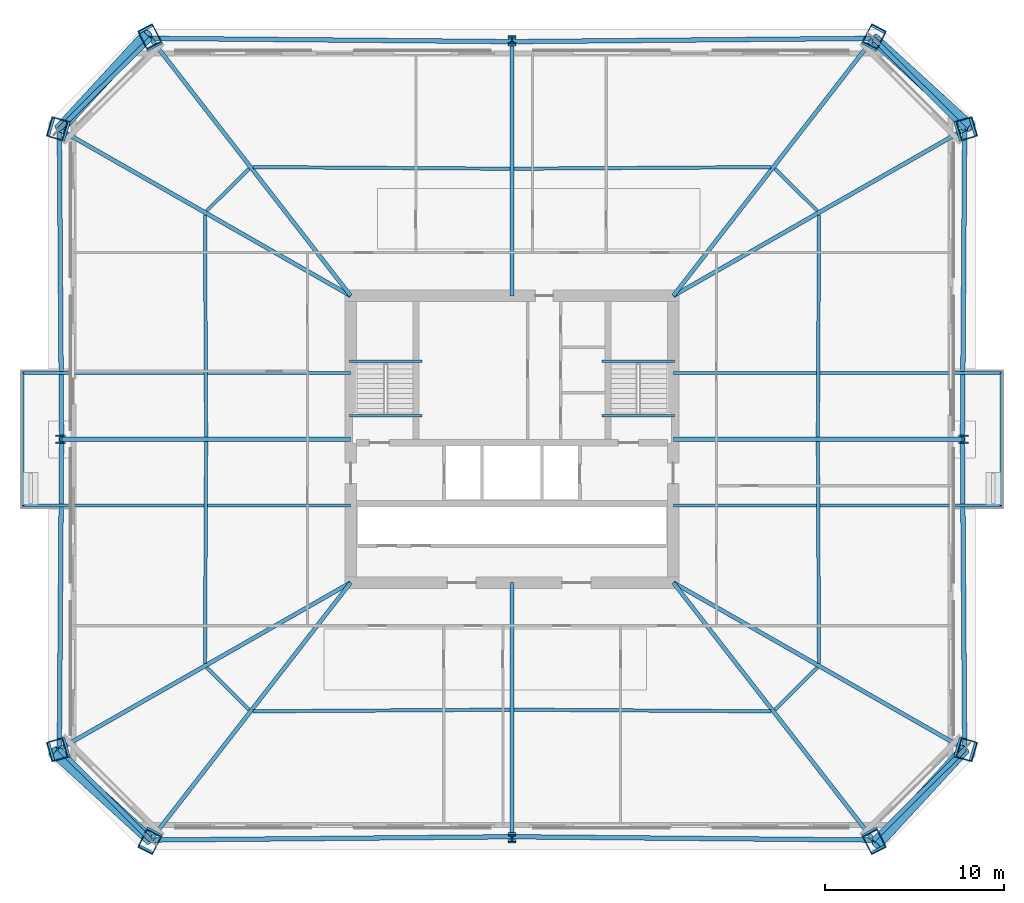
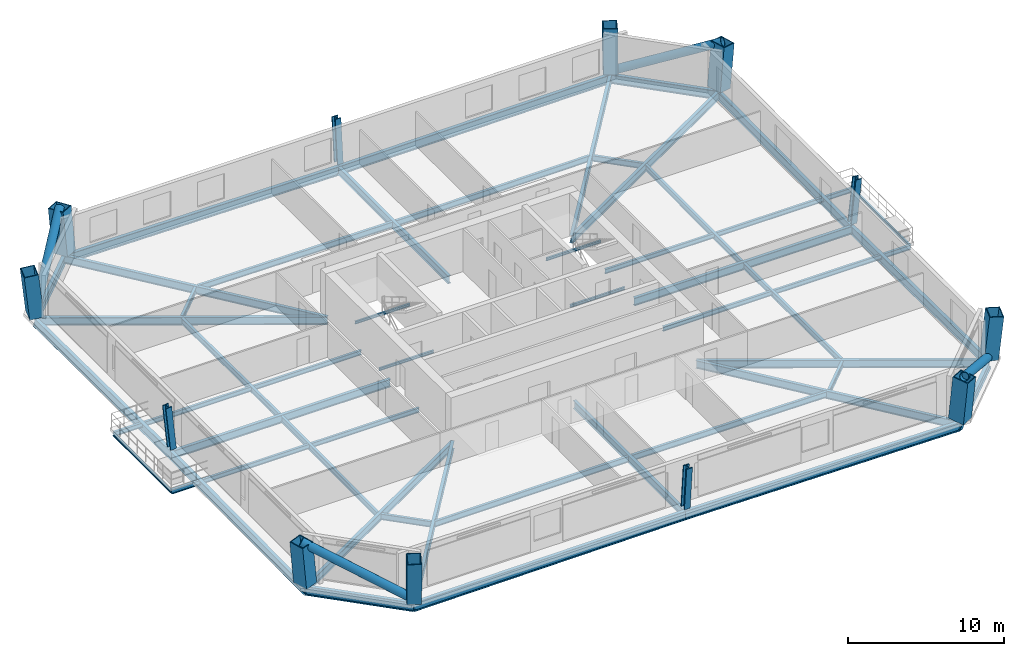
# One storey, part 1 of 11: 46 beams, 12 columns, 4 members.
"""IFC4 building model written with IfcOpenShell, lengths in metres."""

import ifcopenshell
import ifcopenshell.guid

model = None  # the IFC model being written
_history = None  # IfcOwnerHistory: only IFC2X3 demands one
_inside = {}  # id of a spatial element -> (the spatial element, [elements in it])
_under = {}  # id of a project, library or spatial element -> (it, [spatial elements below it])
_declared = {}  # id of a project -> (the project, [libraries it declares])
_typed = {}  # id of a type object -> (the type object, [elements of that type])
_made_of = {}  # id of a material, layer set ... -> (it, [elements and type objects made of it])


def new_model(schema):
    """Start an empty IFC model of exactly this schema.

    Asked for "IFC4X3", IfcOpenShell would pick the latest addendum, in which some entities
    have other attributes; the version numbers below select the first issue.
    IFC2X3 requires an IfcOwnerHistory on every rooted entity: one is made here for all.
    """
    global model, _history
    if schema == "IFC4X3":
        model = ifcopenshell.file(schema_version=(4, 3, 0, 0))
    else:
        model = ifcopenshell.file(schema=schema)
    _inside.clear()
    _under.clear()
    _declared.clear()
    _typed.clear()
    _made_of.clear()
    _history = None
    if model.schema == "IFC2X3":
        org = make("IfcOrganization", Name="unknown")
        user = make(
            "IfcPersonAndOrganization",
            ThePerson=make("IfcPerson", FamilyName="unknown"),
            TheOrganization=org,
        )
        app = make(
            "IfcApplication",
            ApplicationDeveloper=org,
            Version="unknown",
            ApplicationFullName="unknown",
            ApplicationIdentifier="unknown",
        )
        _history = make(
            "IfcOwnerHistory",
            OwningUser=user,
            OwningApplication=app,
            ChangeAction="ADDED",
            CreationDate=0,
        )
    return model


def make(cls, **values):
    """One entity of the class cls with the attributes given. An attribute that is None is left unset."""
    return model.create_entity(
        cls, **{name: value for name, value in values.items() if value is not None}
    )


def rooted(cls, **values):
    """An entity with a GlobalId (a new one), such as an element, a storey or a relation."""
    return make(cls, GlobalId=ifcopenshell.guid.new(), OwnerHistory=_history, **values)


def si_unit(unit_type, name, prefix=None):
    """IfcSIUnit, for example si_unit("LENGTHUNIT", "METRE", prefix="MILLI")."""
    return make("IfcSIUnit", UnitType=unit_type, Prefix=prefix, Name=name)


def assignment(units):
    """IfcUnitAssignment: the units of a project."""
    return None if units is None else make("IfcUnitAssignment", Units=units)


def point(xyz):
    """IfcCartesianPoint."""
    return None if xyz is None else make("IfcCartesianPoint", Coordinates=xyz)


def direction(xyz):
    """IfcDirection."""
    return None if xyz is None else make("IfcDirection", DirectionRatios=xyz)


def frame(location, z_axis=None, x_axis=None):
    """IfcAxis2Placement3D, a coordinate frame: its origin and axes. An axis left out is left unset."""
    return make(
        "IfcAxis2Placement3D",
        Location=point(location),
        Axis=direction(z_axis),
        RefDirection=direction(x_axis),
    )


def frame_2d(location, x_axis=None):
    """IfcAxis2Placement2D, a coordinate frame in the plane: its origin and x axis."""
    return make(
        "IfcAxis2Placement2D", Location=point(location), RefDirection=direction(x_axis)
    )


def origin():
    """The frame at (0, 0, 0) with its axes left unset."""
    return frame((0.0, 0.0, 0.0))


def origin_2d():
    """The frame at (0, 0) in the plane with its x axis left unset."""
    return frame_2d((0.0, 0.0))


def place(relative_to, where):
    """IfcLocalPlacement: puts the frame where relative to a parent placement (None: the world)."""
    return make(
        "IfcLocalPlacement", PlacementRelTo=relative_to, RelativePlacement=where
    )


def context(
    kind, dimensions, precision=None, world=None, true_north=None, identifier=None
):
    """IfcGeometricRepresentationContext, for example the 3D "Model" context."""
    return make(
        "IfcGeometricRepresentationContext",
        ContextIdentifier=identifier,
        ContextType=kind,
        CoordinateSpaceDimension=dimensions,
        Precision=precision,
        WorldCoordinateSystem=world,
        TrueNorth=true_north,
    )


def subcontext(parent, identifier, kind, view, scale=None):
    """IfcGeometricRepresentationSubContext, for example "Body" below "Model"."""
    return make(
        "IfcGeometricRepresentationSubContext",
        ContextIdentifier=identifier,
        ContextType=kind,
        ParentContext=parent,
        TargetScale=scale,
        TargetView=view,
    )


def project(units=None, contexts=None):
    """IfcProject with its units and contexts."""
    return rooted(
        "IfcProject",
        Name="project",
        RepresentationContexts=contexts,
        UnitsInContext=assignment(units),
    )


def spatial(cls, under=None, at=None, **own):
    """A site, building, storey or space (cls), placed at a placement, below another one or the project."""
    s = rooted(cls, ObjectPlacement=at, **own)
    if under is not None:
        _under.setdefault(under.id(), (under, []))[1].append(s)
    return s


def profile(cls, at=None, kind="AREA", **sizes):
    """A parametric profile (cls). Its sizes go by their IFC names, for example OverallWidth=200.0."""
    return make(cls, ProfileType=kind, Position=at, **sizes)


def hollow_rectangle(**sizes):
    """IfcRectangleHollowProfileDef."""
    return profile("IfcRectangleHollowProfileDef", **sizes)


def hollow_circle(**sizes):
    """IfcCircleHollowProfileDef."""
    return profile("IfcCircleHollowProfileDef", **sizes)


def i_section(**sizes):
    """IfcIShapeProfileDef."""
    return profile("IfcIShapeProfileDef", **sizes)


def extrude(swept, where, along, depth):
    """IfcExtrudedAreaSolid: the profile swept, set in the frame where, extruded along a direction by depth."""
    return make(
        "IfcExtrudedAreaSolid",
        SweptArea=swept,
        Position=where,
        ExtrudedDirection=direction(along),
        Depth=depth,
    )


def shape(context_of_items, identifier, shape_type, items):
    """IfcShapeRepresentation: the items that make up one representation, for example the "Body"."""
    return make(
        "IfcShapeRepresentation",
        ContextOfItems=context_of_items,
        RepresentationIdentifier=identifier,
        RepresentationType=shape_type,
        Items=items,
    )


def material(Name=None, Category=None):
    """IfcMaterial."""
    return make("IfcMaterial", Name=Name, Category=Category)


def material_profile(
    of_material, cross_section, Name=None, Category=None, Priority=None
):
    """IfcMaterialProfile: a cross section and its material."""
    return make(
        "IfcMaterialProfile",
        Name=Name,
        Material=of_material,
        Profile=cross_section,
        Priority=Priority,
        Category=Category,
    )


def profile_set(profiles, Name=None, composite=None):
    """IfcMaterialProfileSet."""
    return make(
        "IfcMaterialProfileSet",
        Name=Name,
        MaterialProfiles=profiles,
        CompositeProfile=composite,
    )


def made_of(thing, what):
    """Note that an element or type object is made of a material, layer set ...; save() writes the relation."""
    if what is not None:
        _made_of.setdefault(what.id(), (what, []))[1].append(thing)
    return thing


def type_object(cls, material=None, **own):
    """A type object (cls), such as IfcWallType, which elements share."""
    return made_of(rooted(cls, **own), material)


def element(
    cls,
    number,
    at=None,
    inside=None,
    cuts=None,
    type_object=None,
    material=None,
    context=None,
    identifier="Body",
    shape_type=None,
    held_by="IfcProductDefinitionShape",
    body=None,
    shapes=None,
    **own,
):
    """One element of the class cls, such as IfcWall. Its Tag is "e" and its number.

    at: its placement. inside: the storey or other place that contains it. cuts: it is an
    opening in that element (IfcRelVoidsElement). A single representation is given by context,
    identifier, shape_type and body (its items); several are given by shapes. held_by: the class
    of the entity that holds the representations. save() writes the other relations.
    """
    e = rooted(cls, Tag="e%d" % number, ObjectPlacement=at, **own)
    if body is not None:
        shapes = [shape(context, identifier, shape_type, body)]
    if shapes is not None:
        e.Representation = make(held_by, Representations=shapes)
    if inside is not None:
        _inside.setdefault(inside.id(), (inside, []))[1].append(e)
    if cuts is not None:
        rooted(
            "IfcRelVoidsElement", RelatingBuildingElement=cuts, RelatedOpeningElement=e
        )
    if type_object is not None:
        _typed.setdefault(type_object.id(), (type_object, []))[1].append(e)
    return made_of(e, material)


def aggregate(whole, parts):
    """IfcRelAggregates: a whole, such as a stair, and the parts it consists of."""
    return rooted("IfcRelAggregates", RelatingObject=whole, RelatedObjects=parts)


def save(model, path):
    """Write the relations noted so far, then the file.

    IfcRelAggregates (storeys below a building ...), IfcRelContainedInSpatialStructure (elements
    in a storey), IfcRelDefinesByType, IfcRelAssociatesMaterial and IfcRelDeclares: one each for
    every whole, place, type object, material and project.
    """
    for whole, parts in _under.values():
        aggregate(whole, parts)
    for where, things in _inside.values():
        rooted(
            "IfcRelContainedInSpatialStructure",
            RelatedElements=things,
            RelatingStructure=where,
        )
    for kind, things in _typed.values():
        rooted("IfcRelDefinesByType", RelatedObjects=things, RelatingType=kind)
    for what, things in _made_of.values():
        rooted("IfcRelAssociatesMaterial", RelatedObjects=things, RelatingMaterial=what)
    for by, libraries in _declared.values():
        rooted("IfcRelDeclares", RelatingContext=by, RelatedDefinitions=libraries)
    model.write(path)


model = new_model("IFC4")

# Units and contexts
model_context = context("Model", 3, precision=1e-05, world=origin(), true_north=direction((0.0, 1.0)))
body_context = subcontext(model_context, "Body", "Model", "MODEL_VIEW")
ifc_project = project(units=[si_unit("LENGTHUNIT", "METRE"), si_unit("AREAUNIT", "SQUARE_METRE"), si_unit("VOLUMEUNIT", "CUBIC_METRE"), si_unit("PLANEANGLEUNIT", "RADIAN"), si_unit("MASSUNIT", "GRAM", prefix="KILO")], contexts=[model_context])

# Site, building, storey
site_placement = place(None, origin())
site = spatial("IfcSite", under=ifc_project, at=site_placement, CompositionType="ELEMENT")
building_placement = place(site_placement, origin())
building = spatial("IfcBuilding", under=site, at=building_placement, Name="Caelvoria Tower", CompositionType="ELEMENT")
storey_placement = place(building_placement, frame((0.0, 0.0, 67.60009765625)))
storey = spatial("IfcBuildingStorey", under=building, at=storey_placement, Name="L17", CompositionType="ELEMENT", Elevation=67.60009765625)

# Columns
ifc_material_1 = material(Name="Structural Steel ASTM A913 Gr.65", Category="steel")
ifc_material_profile_1 = material_profile(ifc_material_1, i_section(OverallWidth=0.427978515625, OverallDepth=0.48291015625, WebThickness=0.050537109375, FlangeThickness=0.08154296875, FilletRadius=0.02490234375, at=origin_2d()), Name="Structural Steel ASTM A913 Gr.65")
ifc_profile_set_1 = profile_set([ifc_material_profile_1], Name="W360X677 - Structural Steel ASTM A913 Gr.65")
column_type_1 = type_object("IfcColumnType", Name="Heavy Frame Column W360X677", PredefinedType="COLUMN", material=ifc_profile_set_1)
column_1_placement = place(storey_placement, frame((46.0, 9.820068359375, 0.0), z_axis=(0.0, -0.089001216718, 0.996031517284), x_axis=(1.0, 0.0, 0.0)))
element("IfcColumn", 1, at=column_1_placement, inside=storey, type_object=column_type_1, Name="Perimeter Megaframe Column L17-P01", PredefinedType="COLUMN", context=body_context, shape_type="SweptSolid", body=[
    extrude(i_section(OverallWidth=0.427978515625, OverallDepth=0.48291015625, WebThickness=0.050537109375, FlangeThickness=0.08154296875, FilletRadius=0.02490234375, at=origin_2d()), origin(), (0.0, 0.0, 1.0), 3.371337890625),
])
column_2_placement = place(storey_placement, frame((71.1298828125, 32.0, 0.0), z_axis=(0.103698486948, 0.0, 0.994608779272), x_axis=(-0.994608779272, 0.0, 0.103698486948)))
element("IfcColumn", 2, at=column_2_placement, inside=storey, type_object=column_type_1, Name="Perimeter Megaframe Column L17-P04", PredefinedType="COLUMN", context=body_context, shape_type="SweptSolid", body=[
    extrude(i_section(OverallWidth=0.427978515625, OverallDepth=0.48291015625, WebThickness=0.050537109375, FlangeThickness=0.08154296875, FilletRadius=0.02490234375, at=origin_2d()), origin(), (0.0, 0.0, 1.0), 3.376220703125),
])
column_3_placement = place(storey_placement, frame((46.0, 54.179931640625, 0.0), z_axis=(0.0, 0.089001216718, 0.996031517284), x_axis=(-1.0, 0.0, 0.0)))
element("IfcColumn", 3, at=column_3_placement, inside=storey, type_object=column_type_1, Name="Perimeter Megaframe Column L17-P07", PredefinedType="COLUMN", context=body_context, shape_type="SweptSolid", body=[
    extrude(i_section(OverallWidth=0.427978515625, OverallDepth=0.48291015625, WebThickness=0.050537109375, FlangeThickness=0.08154296875, FilletRadius=0.02490234375, at=origin_2d()), origin(), (0.0, 0.0, 1.0), 3.371337890625),
])
column_4_placement = place(storey_placement, frame((20.8701171875, 32.0, 0.0), z_axis=(-0.103698486948, 0.0, 0.994608779272), x_axis=(0.994608779272, 0.0, 0.103698486948)))
element("IfcColumn", 4, at=column_4_placement, inside=storey, type_object=column_type_1, Name="Perimeter Megaframe Column L17-P10", PredefinedType="COLUMN", context=body_context, shape_type="SweptSolid", body=[
    extrude(i_section(OverallWidth=0.427978515625, OverallDepth=0.48291015625, WebThickness=0.050537109375, FlangeThickness=0.08154296875, FilletRadius=0.02490234375, at=origin_2d()), origin(), (0.0, 0.0, 1.0), 3.376220703125),
])
ifc_material_2 = material(Name="Structural Steel ASTM A572 Gr.50", Category="steel")
ifc_material_profile_2 = material_profile(ifc_material_2, hollow_rectangle(XDim=0.949951171875, YDim=1.14990234375, WallThickness=0.06005859375, at=origin_2d()), Name="Structural Steel ASTM A572 Gr.50")
ifc_profile_set_2 = profile_set([ifc_material_profile_2], Name="BOX1150X950X60 - Structural Steel ASTM A572 Gr.50")
column_type_2 = type_object("IfcColumnType", Name="Mega Box Column 1150x950x60", PredefinedType="COLUMN", material=ifc_profile_set_2)
for number, where, z_axis, x_axis, name in (
    (5, (25.832275390625, 9.634765625, 0.0), (-0.044927645815, -0.088480693771, 0.995064155455), (0.891639602851, -0.452745865389, 0.0), "Perimeter Megaframe Column L17-P00"),
    (6, (66.167724609375, 9.634765625, 0.0), (0.044927645815, -0.088480693771, 0.995064155455), (0.891639602851, 0.452745865389, 0.0), "Perimeter Megaframe Column L17-P02"),
):
    element("IfcColumn", number, at=place(storey_placement, frame(where, z_axis=z_axis, x_axis=x_axis)), inside=storey, type_object=column_type_2, Name=name, PredefinedType="COLUMN", context=body_context, shape_type="SweptSolid", body=[
        extrude(hollow_rectangle(XDim=0.949951171875, YDim=1.14990234375, WallThickness=0.06005859375, at=origin_2d()), origin(), (0.0, 0.0, 1.0), 3.37451171875),
    ])
for number, where, z_axis, x_axis, name in (
    (7, (71.255859375, 14.706787109375, 0.0), (0.103221863164, -0.030287087301, 0.994197133021), (-0.953979075254, 0.279914028383, 0.107573512968), "Perimeter Megaframe Column L17-P03"),
    (8, (71.255859375, 49.293212890625, 0.0), (0.103221863164, 0.030287087301, 0.994197133021), (-0.953979075254, -0.279914028383, 0.107573512968), "Perimeter Megaframe Column L17-P05"),
):
    element("IfcColumn", number, at=place(storey_placement, frame(where, z_axis=z_axis, x_axis=x_axis)), inside=storey, type_object=column_type_2, Name=name, PredefinedType="COLUMN", context=body_context, shape_type="SweptSolid", body=[
        extrude(hollow_rectangle(XDim=0.949951171875, YDim=1.14990234375, WallThickness=0.06005859375, at=origin_2d()), origin(), (0.0, 0.0, 1.0), 3.37744140625),
    ])
for number, where, z_axis, x_axis, name in (
    (9, (66.167724609375, 54.365234375, 0.0), (0.044927645815, 0.088480693771, 0.995064155455), (-0.891639602851, 0.452745865389, 0.0), "Perimeter Megaframe Column L17-P06"),
    (10, (25.832275390625, 54.365234375, 0.0), (-0.044927645815, 0.088480693771, 0.995064155455), (-0.891639602851, -0.452745865389, 0.0), "Perimeter Megaframe Column L17-P08"),
):
    element("IfcColumn", number, at=place(storey_placement, frame(where, z_axis=z_axis, x_axis=x_axis)), inside=storey, type_object=column_type_2, Name=name, PredefinedType="COLUMN", context=body_context, shape_type="SweptSolid", body=[
        extrude(hollow_rectangle(XDim=0.949951171875, YDim=1.14990234375, WallThickness=0.06005859375, at=origin_2d()), origin(), (0.0, 0.0, 1.0), 3.37451171875),
    ])
for number, where, z_axis, x_axis, name in (
    (11, (20.744140625, 49.293212890625, 0.0), (-0.103221863164, 0.030287087301, 0.994197133021), (0.953979075254, -0.279914028383, 0.107573512968), "Perimeter Megaframe Column L17-P09"),
    (12, (20.744140625, 14.706787109375, 0.0), (-0.103221863164, -0.030287087301, 0.994197133021), (0.953979075254, 0.279914028383, 0.107573512968), "Perimeter Megaframe Column L17-P11"),
):
    element("IfcColumn", number, at=place(storey_placement, frame(where, z_axis=z_axis, x_axis=x_axis)), inside=storey, type_object=column_type_2, Name=name, PredefinedType="COLUMN", context=body_context, shape_type="SweptSolid", body=[
        extrude(hollow_rectangle(XDim=0.949951171875, YDim=1.14990234375, WallThickness=0.06005859375, at=origin_2d()), origin(), (0.0, 0.0, 1.0), 3.37744140625),
    ])

# Beams
ifc_material_3 = material(Name="Structural Steel ASTM A992 Gr.50", Category="steel")
ifc_material_profile_3 = material_profile(ifc_material_3, i_section(OverallWidth=0.134033203125, OverallDepth=0.2099609375, WebThickness=0.00634765625, FlangeThickness=0.01025390625, FilletRadius=0.010009765625, at=origin_2d()), Name="Structural Steel ASTM A992 Gr.50")
ifc_profile_set_3 = profile_set([ifc_material_profile_3], Name="W200X31.3 - Structural Steel ASTM A992 Gr.50")
beam_type_1 = type_object("IfcBeamType", Name="Canopy Edge Trim Beam W200X31.3", PredefinedType="BEAM", material=ifc_profile_set_3)
for number, where, z_axis, x_axis, name in (
    (13, (18.699951171875, 28.300048828125, -0.42919921875), (0.0, 1.0, 0.0), (-1.0, 0.0, 0.0), "Tree Balcony Edge Beam TB-L17-W"),
    (14, (73.300048828125, 28.300048828125, -0.42919921875), (0.0, 1.0, 0.0), (-1.0, 0.0, 0.0), "Tree Balcony Edge Beam TB-L17-E"),
):
    element("IfcBeam", number, at=place(storey_placement, frame(where, z_axis=z_axis, x_axis=x_axis)), inside=storey, type_object=beam_type_1, Name=name, PredefinedType="BEAM", context=body_context, shape_type="SweptSolid", body=[
        extrude(i_section(OverallWidth=0.134033203125, OverallDepth=0.2099609375, WebThickness=0.00634765625, FlangeThickness=0.01025390625, FilletRadius=0.010009765625, at=origin_2d()), origin(), (0.0, 0.0, 1.0), 7.39990234375),
    ])
for number, where, z_axis, x_axis, name in (
    (15, (36.929931640625, 36.35009765625, 1.494873046875), (1.0, 0.0, 0.0), (0.0, 1.0, 0.0), "ST-01 Half-Landing Support Beam L17"),
    (16, (36.929931640625, 33.300048828125, -0.30517578125), (1.0, 0.0, 0.0), (0.0, 1.0, 0.0), "ST-01 Floor-Landing Support Beam L17"),
    (17, (51.030029296875, 36.35009765625, 1.494873046875), (1.0, 0.0, 0.0), (0.0, 1.0, 0.0), "ST-02 Half-Landing Support Beam L17"),
    (18, (51.030029296875, 33.300048828125, -0.30517578125), (1.0, 0.0, 0.0), (0.0, 1.0, 0.0), "ST-02 Floor-Landing Support Beam L17"),
):
    element("IfcBeam", number, at=place(storey_placement, frame(where, z_axis=z_axis, x_axis=x_axis)), inside=storey, type_object=beam_type_1, Name=name, PredefinedType="BEAM", context=body_context, shape_type="SweptSolid", body=[
        extrude(i_section(OverallWidth=0.134033203125, OverallDepth=0.2099609375, WebThickness=0.00634765625, FlangeThickness=0.01025390625, FilletRadius=0.010009765625, at=origin_2d()), origin(), (0.0, 0.0, 1.0), 4.0400390625),
    ])

# Members
ifc_material_profile_4 = material_profile(ifc_material_2, hollow_circle(Radius=0.304931640625, WallThickness=0.02490234375, at=origin_2d()), Name="Structural Steel ASTM A572 Gr.50")
ifc_profile_set_4 = profile_set([ifc_material_profile_4], Name="CHS610X25 - Structural Steel ASTM A572 Gr.50")
member_type = type_object("IfcMemberType", Name="Lower Perimeter Mega Brace CHS610X25", PredefinedType="BRACE", material=ifc_profile_set_4)
member_1_placement = place(storey_placement, frame((71.255859375, 14.706787109375, 0.0), z_axis=(-0.614662626992, -0.668711595874, 0.418347530795), x_axis=(0.73623377618, -0.676727291316, 0.0)))
element("IfcMember", 19, at=member_1_placement, inside=storey, type_object=member_type, Name="Perimeter Chamfer Mega Brace L17 SE", PredefinedType="BRACE", context=body_context, shape_type="SweptSolid", body=[
    extrude(hollow_circle(Radius=0.304931640625, WallThickness=0.02490234375, at=origin_2d()), origin(), (0.0, 0.0, 1.0), 8.03125),
])
member_2_placement = place(storey_placement, frame((66.167724609375, 54.365234375, 0.0), z_axis=(0.671537041003, -0.613849207717, 0.415002593663), x_axis=(0.674692855616, 0.738098604918, 0.0)))
element("IfcMember", 20, at=member_2_placement, inside=storey, type_object=member_type, Name="Perimeter Chamfer Mega Brace L17 NE", PredefinedType="BRACE", context=body_context, shape_type="SweptSolid", body=[
    extrude(hollow_circle(Radius=0.304931640625, WallThickness=0.02490234375, at=origin_2d()), origin(), (0.0, 0.0, 1.0), 8.095947265625),
])
member_3_placement = place(storey_placement, frame((20.744140625, 49.293212890625, 0.0), z_axis=(0.614662626992, 0.668711595874, 0.418347530795), x_axis=(-0.73623377618, 0.676727291316, 0.0)))
element("IfcMember", 21, at=member_3_placement, inside=storey, type_object=member_type, Name="Perimeter Chamfer Mega Brace L17 NW", PredefinedType="BRACE", context=body_context, shape_type="SweptSolid", body=[
    extrude(hollow_circle(Radius=0.304931640625, WallThickness=0.02490234375, at=origin_2d()), origin(), (0.0, 0.0, 1.0), 8.03125),
])
member_4_placement = place(storey_placement, frame((25.832275390625, 9.634765625, 0.0), z_axis=(-0.671537041003, 0.613849207717, 0.415002593663), x_axis=(-0.674692855616, -0.738098604918, 0.0)))
element("IfcMember", 22, at=member_4_placement, inside=storey, type_object=member_type, Name="Perimeter Chamfer Mega Brace L17 SW", PredefinedType="BRACE", context=body_context, shape_type="SweptSolid", body=[
    extrude(hollow_circle(Radius=0.304931640625, WallThickness=0.02490234375, at=origin_2d()), origin(), (0.0, 0.0, 1.0), 8.095947265625),
])

# Beams
ifc_material_profile_5 = material_profile(ifc_material_3, i_section(OverallWidth=0.25390625, OverallDepth=0.68798828125, WebThickness=0.01318359375, FlangeThickness=0.02099609375, FilletRadius=0.01904296875, at=origin_2d()), Name="Structural Steel ASTM A992 Gr.50")
ifc_profile_set_5 = profile_set([ifc_material_profile_5], Name="W690X152 - Structural Steel ASTM A992 Gr.50")
beam_type_2 = type_object("IfcBeamType", Name="Perimeter Spandrel Girder W690X152", PredefinedType="BEAM", material=ifc_profile_set_5)
for number, where, z_axis, x_axis, name in (
    (23, (25.832275390625, 9.634765625, -0.583984375), (0.999957792235, 0.009187695526, 0.0), (-0.009187695526, 0.999957792235, 0.0), "Perimeter Spandrel Girder L17-00"),
    (24, (46.0, 9.820068359375, -0.583984375), (0.999957792235, -0.009187695526, 0.0), (0.009187695526, 0.999957792235, 0.0), "Perimeter Spandrel Girder L17-01"),
):
    element("IfcBeam", number, at=place(storey_placement, frame(where, z_axis=z_axis, x_axis=x_axis)), inside=storey, type_object=beam_type_2, Name=name, PredefinedType="BEAM", context=body_context, shape_type="SweptSolid", body=[
        extrude(i_section(OverallWidth=0.25390625, OverallDepth=0.68798828125, WebThickness=0.01318359375, FlangeThickness=0.02099609375, FilletRadius=0.01904296875, at=origin_2d()), origin(), (0.0, 0.0, 1.0), 20.16845703125),
    ])
beam_1_placement = place(storey_placement, frame((66.167724609375, 9.634765625, -0.583984375), z_axis=(0.70822731132, 0.705984472563, 0.0), x_axis=(-0.705984472563, 0.70822731132, 0.0)))
element("IfcBeam", 25, at=beam_1_placement, inside=storey, type_object=beam_type_2, Name="Perimeter Spandrel Girder L17-02", PredefinedType="BEAM", context=body_context, shape_type="SweptSolid", body=[
    extrude(i_section(OverallWidth=0.25390625, OverallDepth=0.68798828125, WebThickness=0.01318359375, FlangeThickness=0.02099609375, FilletRadius=0.01904296875, at=origin_2d()), origin(), (0.0, 0.0, 1.0), 7.184326171875),
])
for number, where, z_axis, x_axis, name in (
    (26, (71.255859375, 14.706787109375, -0.583984375), (-0.00728454688, 0.999973467336, 0.0), (-0.999973467336, -0.00728454688, 0.0), "Perimeter Spandrel Girder L17-03"),
    (27, (71.1298828125, 32.0, -0.583984375), (0.00728454688, 0.999973467336, 0.0), (-0.999973467336, 0.00728454688, 0.0), "Perimeter Spandrel Girder L17-04"),
):
    element("IfcBeam", number, at=place(storey_placement, frame(where, z_axis=z_axis, x_axis=x_axis)), inside=storey, type_object=beam_type_2, Name=name, PredefinedType="BEAM", context=body_context, shape_type="SweptSolid", body=[
        extrude(i_section(OverallWidth=0.25390625, OverallDepth=0.68798828125, WebThickness=0.01318359375, FlangeThickness=0.02099609375, FilletRadius=0.01904296875, at=origin_2d()), origin(), (0.0, 0.0, 1.0), 17.293701171875),
    ])
beam_2_placement = place(storey_placement, frame((71.255859375, 49.293212890625, -0.583984375), z_axis=(-0.70822731132, 0.705984472563, 0.0), x_axis=(-0.705984472563, -0.70822731132, 0.0)))
element("IfcBeam", 28, at=beam_2_placement, inside=storey, type_object=beam_type_2, Name="Perimeter Spandrel Girder L17-05", PredefinedType="BEAM", context=body_context, shape_type="SweptSolid", body=[
    extrude(i_section(OverallWidth=0.25390625, OverallDepth=0.68798828125, WebThickness=0.01318359375, FlangeThickness=0.02099609375, FilletRadius=0.01904296875, at=origin_2d()), origin(), (0.0, 0.0, 1.0), 7.184326171875),
])
for number, where, z_axis, x_axis, name in (
    (29, (66.167724609375, 54.365234375, -0.583984375), (-0.999957792235, -0.009187695526, 0.0), (0.009187695526, -0.999957792235, 0.0), "Perimeter Spandrel Girder L17-06"),
    (30, (46.0, 54.179931640625, -0.583984375), (-0.999957792235, 0.009187695526, 0.0), (-0.009187695526, -0.999957792235, 0.0), "Perimeter Spandrel Girder L17-07"),
):
    element("IfcBeam", number, at=place(storey_placement, frame(where, z_axis=z_axis, x_axis=x_axis)), inside=storey, type_object=beam_type_2, Name=name, PredefinedType="BEAM", context=body_context, shape_type="SweptSolid", body=[
        extrude(i_section(OverallWidth=0.25390625, OverallDepth=0.68798828125, WebThickness=0.01318359375, FlangeThickness=0.02099609375, FilletRadius=0.01904296875, at=origin_2d()), origin(), (0.0, 0.0, 1.0), 20.16845703125),
    ])
beam_3_placement = place(storey_placement, frame((25.832275390625, 54.365234375, -0.583984375), z_axis=(-0.70822731132, -0.705984472563, 0.0), x_axis=(0.705984472563, -0.70822731132, 0.0)))
element("IfcBeam", 31, at=beam_3_placement, inside=storey, type_object=beam_type_2, Name="Perimeter Spandrel Girder L17-08", PredefinedType="BEAM", context=body_context, shape_type="SweptSolid", body=[
    extrude(i_section(OverallWidth=0.25390625, OverallDepth=0.68798828125, WebThickness=0.01318359375, FlangeThickness=0.02099609375, FilletRadius=0.01904296875, at=origin_2d()), origin(), (0.0, 0.0, 1.0), 7.184326171875),
])
for number, where, z_axis, x_axis, name in (
    (32, (20.744140625, 49.293212890625, -0.583984375), (0.00728454688, -0.999973467336, 0.0), (0.999973467336, 0.00728454688, 0.0), "Perimeter Spandrel Girder L17-09"),
    (33, (20.8701171875, 32.0, -0.583984375), (-0.00728454688, -0.999973467336, 0.0), (0.999973467336, -0.00728454688, 0.0), "Perimeter Spandrel Girder L17-10"),
):
    element("IfcBeam", number, at=place(storey_placement, frame(where, z_axis=z_axis, x_axis=x_axis)), inside=storey, type_object=beam_type_2, Name=name, PredefinedType="BEAM", context=body_context, shape_type="SweptSolid", body=[
        extrude(i_section(OverallWidth=0.25390625, OverallDepth=0.68798828125, WebThickness=0.01318359375, FlangeThickness=0.02099609375, FilletRadius=0.01904296875, at=origin_2d()), origin(), (0.0, 0.0, 1.0), 17.293701171875),
    ])
beam_4_placement = place(storey_placement, frame((20.744140625, 14.706787109375, -0.583984375), z_axis=(0.70822731132, -0.705984472563, 0.0), x_axis=(0.705984472563, 0.70822731132, 0.0)))
element("IfcBeam", 34, at=beam_4_placement, inside=storey, type_object=beam_type_2, Name="Perimeter Spandrel Girder L17-11", PredefinedType="BEAM", context=body_context, shape_type="SweptSolid", body=[
    extrude(i_section(OverallWidth=0.25390625, OverallDepth=0.68798828125, WebThickness=0.01318359375, FlangeThickness=0.02099609375, FilletRadius=0.01904296875, at=origin_2d()), origin(), (0.0, 0.0, 1.0), 7.184326171875),
])
ifc_material_profile_6 = material_profile(ifc_material_3, i_section(OverallWidth=0.22900390625, OverallDepth=0.612060546875, WebThickness=0.011962890625, FlangeThickness=0.01953125, FilletRadius=0.01806640625, at=origin_2d()), Name="Structural Steel ASTM A992 Gr.50")
ifc_profile_set_6 = profile_set([ifc_material_profile_6], Name="W610X125 - Structural Steel ASTM A992 Gr.50")
beam_type_3 = type_object("IfcBeamType", Name="Primary Radial Floor Girder W610X125", PredefinedType="BEAM", material=ifc_profile_set_6)
beam_5_placement = place(storey_placement, frame((37.0, 24.0, -0.546142578125), z_axis=(-0.613761317889, -0.789491636854, 0.0), x_axis=(0.789491636854, -0.613761317889, 0.0)))
element("IfcBeam", 35, at=beam_5_placement, inside=storey, type_object=beam_type_3, Name="Primary Floor Girder L17-00", PredefinedType="BEAM", context=body_context, shape_type="SweptSolid", body=[
    extrude(i_section(OverallWidth=0.22900390625, OverallDepth=0.612060546875, WebThickness=0.011962890625, FlangeThickness=0.01953125, FilletRadius=0.01806640625, at=origin_2d()), origin(), (0.0, 0.0, 1.0), 18.195556640625),
])
beam_6_placement = place(storey_placement, frame((46.0, 24.0, -0.546142578125), z_axis=(0.0, -1.0, 0.0), x_axis=(1.0, 0.0, 0.0)))
element("IfcBeam", 36, at=beam_6_placement, inside=storey, type_object=beam_type_3, Name="Primary Floor Girder L17-01", PredefinedType="BEAM", context=body_context, shape_type="SweptSolid", body=[
    extrude(i_section(OverallWidth=0.22900390625, OverallDepth=0.612060546875, WebThickness=0.011962890625, FlangeThickness=0.01953125, FilletRadius=0.01806640625, at=origin_2d()), origin(), (0.0, 0.0, 1.0), 14.179931640625),
])
beam_7_placement = place(storey_placement, frame((55.0, 24.0, -0.546142578125), z_axis=(0.613761317889, -0.789491636854, 0.0), x_axis=(0.789491636854, 0.613761317889, 0.0)))
element("IfcBeam", 37, at=beam_7_placement, inside=storey, type_object=beam_type_3, Name="Primary Floor Girder L17-02", PredefinedType="BEAM", context=body_context, shape_type="SweptSolid", body=[
    extrude(i_section(OverallWidth=0.22900390625, OverallDepth=0.612060546875, WebThickness=0.011962890625, FlangeThickness=0.01953125, FilletRadius=0.01806640625, at=origin_2d()), origin(), (0.0, 0.0, 1.0), 18.195556640625),
])
beam_8_placement = place(storey_placement, frame((55.0, 24.0, -0.546142578125), z_axis=(0.86814764497, -0.496306021053, 0.0), x_axis=(0.496306021053, 0.86814764497, 0.0)))
element("IfcBeam", 38, at=beam_8_placement, inside=storey, type_object=beam_type_3, Name="Primary Floor Girder L17-03", PredefinedType="BEAM", context=body_context, shape_type="SweptSolid", body=[
    extrude(i_section(OverallWidth=0.22900390625, OverallDepth=0.612060546875, WebThickness=0.011962890625, FlangeThickness=0.01953125, FilletRadius=0.01806640625, at=origin_2d()), origin(), (0.0, 0.0, 1.0), 18.724853515625),
])
beam_9_placement = place(storey_placement, frame((55.0, 32.0, -0.546142578125), z_axis=(1.0, 0.0, 0.0), x_axis=(0.0, 1.0, 0.0)))
element("IfcBeam", 39, at=beam_9_placement, inside=storey, type_object=beam_type_3, Name="Primary Floor Girder L17-04", PredefinedType="BEAM", context=body_context, shape_type="SweptSolid", body=[
    extrude(i_section(OverallWidth=0.22900390625, OverallDepth=0.612060546875, WebThickness=0.011962890625, FlangeThickness=0.01953125, FilletRadius=0.01806640625, at=origin_2d()), origin(), (0.0, 0.0, 1.0), 16.1298828125),
])
beam_10_placement = place(storey_placement, frame((55.0, 40.0, -0.546142578125), z_axis=(0.86814764497, 0.496306021053, 0.0), x_axis=(-0.496306021053, 0.86814764497, 0.0)))
element("IfcBeam", 40, at=beam_10_placement, inside=storey, type_object=beam_type_3, Name="Primary Floor Girder L17-05", PredefinedType="BEAM", context=body_context, shape_type="SweptSolid", body=[
    extrude(i_section(OverallWidth=0.22900390625, OverallDepth=0.612060546875, WebThickness=0.011962890625, FlangeThickness=0.01953125, FilletRadius=0.01806640625, at=origin_2d()), origin(), (0.0, 0.0, 1.0), 18.724853515625),
])
beam_11_placement = place(storey_placement, frame((55.0, 40.0, -0.546142578125), z_axis=(0.613761317889, 0.789491636854, 0.0), x_axis=(-0.789491636854, 0.613761317889, 0.0)))
element("IfcBeam", 41, at=beam_11_placement, inside=storey, type_object=beam_type_3, Name="Primary Floor Girder L17-06", PredefinedType="BEAM", context=body_context, shape_type="SweptSolid", body=[
    extrude(i_section(OverallWidth=0.22900390625, OverallDepth=0.612060546875, WebThickness=0.011962890625, FlangeThickness=0.01953125, FilletRadius=0.01806640625, at=origin_2d()), origin(), (0.0, 0.0, 1.0), 18.195556640625),
])
beam_12_placement = place(storey_placement, frame((46.0, 40.0, -0.546142578125), z_axis=(0.0, 1.0, 0.0), x_axis=(-1.0, 0.0, 0.0)))
element("IfcBeam", 42, at=beam_12_placement, inside=storey, type_object=beam_type_3, Name="Primary Floor Girder L17-07", PredefinedType="BEAM", context=body_context, shape_type="SweptSolid", body=[
    extrude(i_section(OverallWidth=0.22900390625, OverallDepth=0.612060546875, WebThickness=0.011962890625, FlangeThickness=0.01953125, FilletRadius=0.01806640625, at=origin_2d()), origin(), (0.0, 0.0, 1.0), 14.179931640625),
])
beam_13_placement = place(storey_placement, frame((37.0, 40.0, -0.546142578125), z_axis=(-0.613761317889, 0.789491636854, 0.0), x_axis=(-0.789491636854, -0.613761317889, 0.0)))
element("IfcBeam", 43, at=beam_13_placement, inside=storey, type_object=beam_type_3, Name="Primary Floor Girder L17-08", PredefinedType="BEAM", context=body_context, shape_type="SweptSolid", body=[
    extrude(i_section(OverallWidth=0.22900390625, OverallDepth=0.612060546875, WebThickness=0.011962890625, FlangeThickness=0.01953125, FilletRadius=0.01806640625, at=origin_2d()), origin(), (0.0, 0.0, 1.0), 18.195556640625),
])
beam_14_placement = place(storey_placement, frame((37.0, 40.0, -0.546142578125), z_axis=(-0.86814764497, 0.496306021053, 0.0), x_axis=(-0.496306021053, -0.86814764497, 0.0)))
element("IfcBeam", 44, at=beam_14_placement, inside=storey, type_object=beam_type_3, Name="Primary Floor Girder L17-09", PredefinedType="BEAM", context=body_context, shape_type="SweptSolid", body=[
    extrude(i_section(OverallWidth=0.22900390625, OverallDepth=0.612060546875, WebThickness=0.011962890625, FlangeThickness=0.01953125, FilletRadius=0.01806640625, at=origin_2d()), origin(), (0.0, 0.0, 1.0), 18.724853515625),
])
beam_15_placement = place(storey_placement, frame((37.0, 32.0, -0.546142578125), z_axis=(-1.0, 0.0, 0.0), x_axis=(0.0, -1.0, 0.0)))
element("IfcBeam", 45, at=beam_15_placement, inside=storey, type_object=beam_type_3, Name="Primary Floor Girder L17-10", PredefinedType="BEAM", context=body_context, shape_type="SweptSolid", body=[
    extrude(i_section(OverallWidth=0.22900390625, OverallDepth=0.612060546875, WebThickness=0.011962890625, FlangeThickness=0.01953125, FilletRadius=0.01806640625, at=origin_2d()), origin(), (0.0, 0.0, 1.0), 16.1298828125),
])
beam_16_placement = place(storey_placement, frame((37.0, 24.0, -0.546142578125), z_axis=(-0.86814764497, -0.496306021053, 0.0), x_axis=(0.496306021053, -0.86814764497, 0.0)))
element("IfcBeam", 46, at=beam_16_placement, inside=storey, type_object=beam_type_3, Name="Primary Floor Girder L17-11", PredefinedType="BEAM", context=body_context, shape_type="SweptSolid", body=[
    extrude(i_section(OverallWidth=0.22900390625, OverallDepth=0.612060546875, WebThickness=0.011962890625, FlangeThickness=0.01953125, FilletRadius=0.01806640625, at=origin_2d()), origin(), (0.0, 0.0, 1.0), 18.724853515625),
])
ifc_material_profile_7 = material_profile(ifc_material_3, i_section(OverallWidth=0.18994140625, OverallDepth=0.45703125, WebThickness=0.009033203125, FlangeThickness=0.014404296875, FilletRadius=0.014892578125, at=origin_2d()), Name="Structural Steel ASTM A992 Gr.50")
ifc_profile_set_7 = profile_set([ifc_material_profile_7], Name="W460X74 - Structural Steel ASTM A992 Gr.50")
beam_type_4 = type_object("IfcBeamType", Name="Secondary Floor Beam W460X74", PredefinedType="BEAM", material=ifc_profile_set_7)
for number, where, z_axis, x_axis, name in (
    (47, (31.541015625, 16.818115234375, -0.468505859375), (0.999979820018, 0.00635291717, 0.0), (-0.00635291717, 0.999979820018, 0.0), "Secondary Floor Beam L17-00"),
    (48, (46.125, 16.9091796875, -0.468505859375), (0.999979820018, -0.00635291717, 0.0), (0.00635291717, 0.999979820018, 0.0), "Secondary Floor Beam L17-01"),
):
    element("IfcBeam", number, at=place(storey_placement, frame(where, z_axis=z_axis, x_axis=x_axis)), inside=storey, type_object=beam_type_4, Name=name, PredefinedType="BEAM", context=body_context, shape_type="SweptSolid", body=[
        extrude(i_section(OverallWidth=0.18994140625, OverallDepth=0.45703125, WebThickness=0.009033203125, FlangeThickness=0.014404296875, FilletRadius=0.014892578125, at=origin_2d()), origin(), (0.0, 0.0, 1.0), 14.334228515625),
    ])
beam_17_placement = place(storey_placement, frame((60.67236328125, 16.905517578125, -0.468505859375), z_axis=(0.708201654231, 0.706010210226, 0.0), x_axis=(-0.706010210226, 0.708201654231, 0.0)))
element("IfcBeam", 49, at=beam_17_placement, inside=storey, type_object=beam_type_4, Name="Secondary Floor Beam L17-02", PredefinedType="BEAM", context=body_context, shape_type="SweptSolid", body=[
    extrude(i_section(OverallWidth=0.18994140625, OverallDepth=0.45703125, WebThickness=0.009033203125, FlangeThickness=0.014404296875, FilletRadius=0.014892578125, at=origin_2d()), origin(), (0.0, 0.0, 1.0), 3.34228515625),
])
for number, where, z_axis, x_axis, name in (
    (50, (63.127197265625, 19.478515625, -0.468505859375), (-0.004962913513, 0.999987684669, 0.0), (-0.999987684669, -0.004962913513, 0.0), "Secondary Floor Beam L17-03"),
    (51, (63.065673828125, 32.125, -0.468505859375), (0.004962913513, 0.999987684669, 0.0), (-0.999987684669, 0.004962913513, 0.0), "Secondary Floor Beam L17-04"),
):
    element("IfcBeam", number, at=place(storey_placement, frame(where, z_axis=z_axis, x_axis=x_axis)), inside=storey, type_object=beam_type_4, Name=name, PredefinedType="BEAM", context=body_context, shape_type="SweptSolid", body=[
        extrude(i_section(OverallWidth=0.18994140625, OverallDepth=0.45703125, WebThickness=0.009033203125, FlangeThickness=0.014404296875, FilletRadius=0.014892578125, at=origin_2d()), origin(), (0.0, 0.0, 1.0), 12.396728515625),
    ])
beam_18_placement = place(storey_placement, frame((63.039306640625, 44.73486328125, -0.468505859375), z_axis=(-0.708201654231, 0.706010210226, 0.0), x_axis=(-0.706010210226, -0.708201654231, 0.0)))
element("IfcBeam", 52, at=beam_18_placement, inside=storey, type_object=beam_type_4, Name="Secondary Floor Beam L17-05", PredefinedType="BEAM", context=body_context, shape_type="SweptSolid", body=[
    extrude(i_section(OverallWidth=0.18994140625, OverallDepth=0.45703125, WebThickness=0.009033203125, FlangeThickness=0.014404296875, FilletRadius=0.014892578125, at=origin_2d()), origin(), (0.0, 0.0, 1.0), 3.34228515625),
])
for number, where, z_axis, x_axis, name in (
    (53, (60.458984375, 47.181884765625, -0.468505859375), (-0.999979820018, -0.00635291717, 0.0), (0.00635291717, -0.999979820018, 0.0), "Secondary Floor Beam L17-06"),
    (54, (45.875, 47.0908203125, -0.468505859375), (-0.999979820018, 0.00635291717, 0.0), (-0.00635291717, -0.999979820018, 0.0), "Secondary Floor Beam L17-07"),
):
    element("IfcBeam", number, at=place(storey_placement, frame(where, z_axis=z_axis, x_axis=x_axis)), inside=storey, type_object=beam_type_4, Name=name, PredefinedType="BEAM", context=body_context, shape_type="SweptSolid", body=[
        extrude(i_section(OverallWidth=0.18994140625, OverallDepth=0.45703125, WebThickness=0.009033203125, FlangeThickness=0.014404296875, FilletRadius=0.014892578125, at=origin_2d()), origin(), (0.0, 0.0, 1.0), 14.334228515625),
    ])
beam_19_placement = place(storey_placement, frame((31.32763671875, 47.094482421875, -0.468505859375), z_axis=(-0.708201654231, -0.706010210226, 0.0), x_axis=(0.706010210226, -0.708201654231, 0.0)))
element("IfcBeam", 55, at=beam_19_placement, inside=storey, type_object=beam_type_4, Name="Secondary Floor Beam L17-08", PredefinedType="BEAM", context=body_context, shape_type="SweptSolid", body=[
    extrude(i_section(OverallWidth=0.18994140625, OverallDepth=0.45703125, WebThickness=0.009033203125, FlangeThickness=0.014404296875, FilletRadius=0.014892578125, at=origin_2d()), origin(), (0.0, 0.0, 1.0), 3.34228515625),
])
for number, where, z_axis, x_axis, name in (
    (56, (28.872802734375, 44.521484375, -0.468505859375), (0.004962913513, -0.999987684669, 0.0), (0.999987684669, 0.004962913513, 0.0), "Secondary Floor Beam L17-09"),
    (57, (28.934326171875, 31.875, -0.468505859375), (-0.004962913513, -0.999987684669, 0.0), (0.999987684669, -0.004962913513, 0.0), "Secondary Floor Beam L17-10"),
):
    element("IfcBeam", number, at=place(storey_placement, frame(where, z_axis=z_axis, x_axis=x_axis)), inside=storey, type_object=beam_type_4, Name=name, PredefinedType="BEAM", context=body_context, shape_type="SweptSolid", body=[
        extrude(i_section(OverallWidth=0.18994140625, OverallDepth=0.45703125, WebThickness=0.009033203125, FlangeThickness=0.014404296875, FilletRadius=0.014892578125, at=origin_2d()), origin(), (0.0, 0.0, 1.0), 12.396728515625),
    ])
beam_20_placement = place(storey_placement, frame((28.960693359375, 19.26513671875, -0.468505859375), z_axis=(0.708201654231, -0.706010210226, 0.0), x_axis=(0.706010210226, 0.708201654231, 0.0)))
element("IfcBeam", 58, at=beam_20_placement, inside=storey, type_object=beam_type_4, Name="Secondary Floor Beam L17-11", PredefinedType="BEAM", context=body_context, shape_type="SweptSolid", body=[
    extrude(i_section(OverallWidth=0.18994140625, OverallDepth=0.45703125, WebThickness=0.009033203125, FlangeThickness=0.014404296875, FilletRadius=0.014892578125, at=origin_2d()), origin(), (0.0, 0.0, 1.0), 3.34228515625),
])
ifc_material_profile_8 = material_profile(ifc_material_3, i_section(OverallWidth=0.1708984375, OverallDepth=0.35498046875, WebThickness=0.007080078125, FlangeThickness=0.01171875, FilletRadius=0.012939453125, at=origin_2d()), Name="Structural Steel ASTM A992 Gr.50")
ifc_profile_set_8 = profile_set([ifc_material_profile_8], Name="W360X51 - Structural Steel ASTM A992 Gr.50")
beam_type_5 = type_object("IfcBeamType", Name="Tree Balcony Cantilever Beam W360X51", PredefinedType="BEAM", material=ifc_profile_set_8)
for number, where, z_axis, x_axis, name in (
    (59, (37.0, 28.300048828125, -0.42919921875), (-1.0, 0.0, 0.0), (0.0, -1.0, 0.0), "Tree Balcony Cantilever Beam TB-L17-W L"),
    (60, (37.0, 35.699951171875, -0.42919921875), (-1.0, 0.0, 0.0), (0.0, -1.0, 0.0), "Tree Balcony Cantilever Beam TB-L17-W R"),
    (61, (55.0, 28.300048828125, -0.42919921875), (1.0, 0.0, 0.0), (0.0, 1.0, 0.0), "Tree Balcony Cantilever Beam TB-L17-E L"),
    (62, (55.0, 35.699951171875, -0.42919921875), (1.0, 0.0, 0.0), (0.0, 1.0, 0.0), "Tree Balcony Cantilever Beam TB-L17-E R"),
):
    element("IfcBeam", number, at=place(storey_placement, frame(where, z_axis=z_axis, x_axis=x_axis)), inside=storey, type_object=beam_type_5, Name=name, PredefinedType="BEAM", context=body_context, shape_type="SweptSolid", body=[
        extrude(i_section(OverallWidth=0.1708984375, OverallDepth=0.35498046875, WebThickness=0.007080078125, FlangeThickness=0.01171875, FilletRadius=0.012939453125, at=origin_2d()), origin(), (0.0, 0.0, 1.0), 18.300048828125),
    ])

save(model, "model.ifc")
